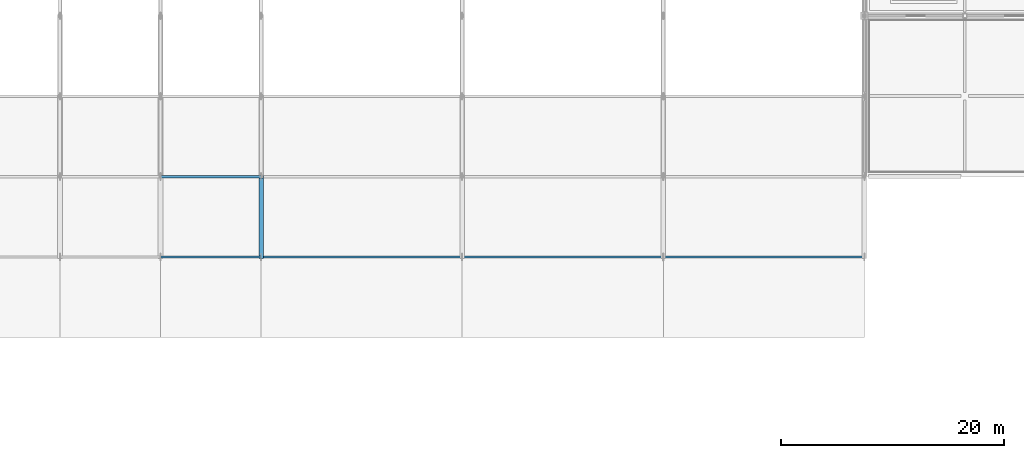
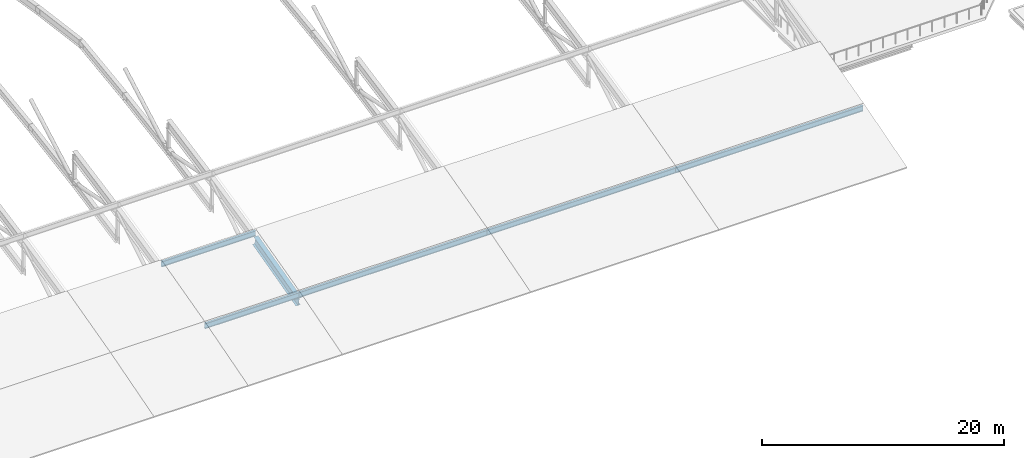
# One storey, part 18 of 124: 6 members.
"""IFC4 building model written with IfcOpenShell, lengths in metres."""

from ifc_helpers import new_model, si_unit, direction, frame, origin, origin_2d, place, context, subcontext, project, spatial, i_section, extrude, material, material_profile, profile_set, type_object, element, save


model = new_model("IFC4")

# Units and contexts
model_context = context("Model", 3, precision=1e-05, world=origin(), true_north=direction((0.0, 1.0)))
body_context = subcontext(model_context, "Body", "Model", "MODEL_VIEW")
ifc_project = project(units=[si_unit("LENGTHUNIT", "METRE"), si_unit("AREAUNIT", "SQUARE_METRE"), si_unit("VOLUMEUNIT", "CUBIC_METRE"), si_unit("PLANEANGLEUNIT", "RADIAN"), si_unit("MASSUNIT", "GRAM", prefix="KILO")], contexts=[model_context])

# Site, building, storey
site_placement = place(None, origin())
site = spatial("IfcSite", under=ifc_project, at=site_placement, CompositionType="ELEMENT")
building_placement = place(site_placement, origin())
building = spatial("IfcBuilding", under=site, at=building_placement, Name="Celestram Park Convention Centre", CompositionType="ELEMENT")
storey_placement = place(building_placement, frame((0.0, 0.0, 15.300048828125)))
storey = spatial("IfcBuildingStorey", under=building, at=storey_placement, Name="L03", CompositionType="ELEMENT", Elevation=15.300048828125)

# Members
ifc_material = material(Name="Steel ASTM A992 Grade 50", Category="steel")
ifc_material_profile_1 = material_profile(ifc_material, i_section(OverallWidth=0.4189453125, OverallDepth=0.927001953125, WebThickness=0.019287109375, FlangeThickness=0.031982421875, at=origin_2d()), Name="W36X231")
ifc_profile_set_1 = profile_set([ifc_material_profile_1], Name="Steel ASTM A992 Grade 50")
member_type_1 = type_object("IfcMemberType", Name="STR-CHD-W36X231", PredefinedType="CHORD", material=ifc_profile_set_1)
member_1_placement = place(storey_placement, frame((72.0, 28.800048828125, 0.036865234375), z_axis=(0.0, 0.967619711376, 0.252412547544), x_axis=(-1.0, 0.0, 0.0)))
element("IfcMember", 1, at=member_1_placement, inside=storey, type_object=member_type_1, Name="V1 arch top chord", PredefinedType="CHORD", context=body_context, shape_type="SweptSolid", body=[
    extrude(i_section(OverallWidth=0.4189453125, OverallDepth=0.927001953125, WebThickness=0.019287109375, FlangeThickness=0.031982421875, at=origin_2d()), origin(), (0.0, 0.0, 1.0), 7.44091796875),
])
ifc_material_profile_2 = material_profile(ifc_material, i_section(OverallWidth=0.2099609375, OverallDepth=0.532958984375, WebThickness=0.01025390625, FlangeThickness=0.015625, at=origin_2d()), Name="W21X62")
ifc_profile_set_2 = profile_set([ifc_material_profile_2], Name="Steel ASTM A992 Grade 50")
member_type_2 = type_object("IfcMemberType", Name="STR-RFT-W21X62", PredefinedType="RAFTER", material=ifc_profile_set_2)
for number, where, z_axis, x_axis, name in (
    (2, (63.0, 28.800048828125, 0.766845703125), (1.0, 0.0, 0.0), (0.0, 1.0, 0.0), "V1 roof purlin"),
    (3, (63.0, 36.0, 2.645263671875), (1.0, 0.0, 0.0), (0.0, 1.0, 0.0), "V1 roof purlin"),
):
    element("IfcMember", number, at=place(storey_placement, frame(where, z_axis=z_axis, x_axis=x_axis)), inside=storey, type_object=member_type_2, Name=name, PredefinedType="RAFTER", context=body_context, shape_type="SweptSolid", body=[
        extrude(i_section(OverallWidth=0.2099609375, OverallDepth=0.532958984375, WebThickness=0.01025390625, FlangeThickness=0.015625, at=origin_2d()), origin(), (0.0, 0.0, 1.0), 9.0),
    ])
for number, where, z_axis, x_axis, name in (
    (4, (72.0, 28.800048828125, 0.766845703125), (1.0, 0.0, 0.0), (0.0, 1.0, 0.0), "V1 roof purlin"),
    (5, (90.0, 28.800048828125, 0.766845703125), (1.0, 0.0, 0.0), (0.0, 1.0, 0.0), "V1 roof purlin"),
):
    element("IfcMember", number, at=place(storey_placement, frame(where, z_axis=z_axis, x_axis=x_axis)), inside=storey, type_object=member_type_2, Name=name, PredefinedType="RAFTER", context=body_context, shape_type="SweptSolid", body=[
        extrude(i_section(OverallWidth=0.2099609375, OverallDepth=0.532958984375, WebThickness=0.01025390625, FlangeThickness=0.015625, at=origin_2d()), origin(), (0.0, 0.0, 1.0), 18.0),
    ])
member_2_placement = place(storey_placement, frame((108.0, 28.800048828125, 0.766845703125), z_axis=(1.0, 0.0, 0.0), x_axis=(0.0, 1.0, 0.0)))
element("IfcMember", 6, at=member_2_placement, inside=storey, type_object=member_type_2, Name="V1 roof purlin", PredefinedType="RAFTER", context=body_context, shape_type="SweptSolid", body=[
    extrude(i_section(OverallWidth=0.2099609375, OverallDepth=0.532958984375, WebThickness=0.01025390625, FlangeThickness=0.015625, at=origin_2d()), origin(), (0.0, 0.0, 1.0), 17.919921875),
])

save(model, "model.ifc")
